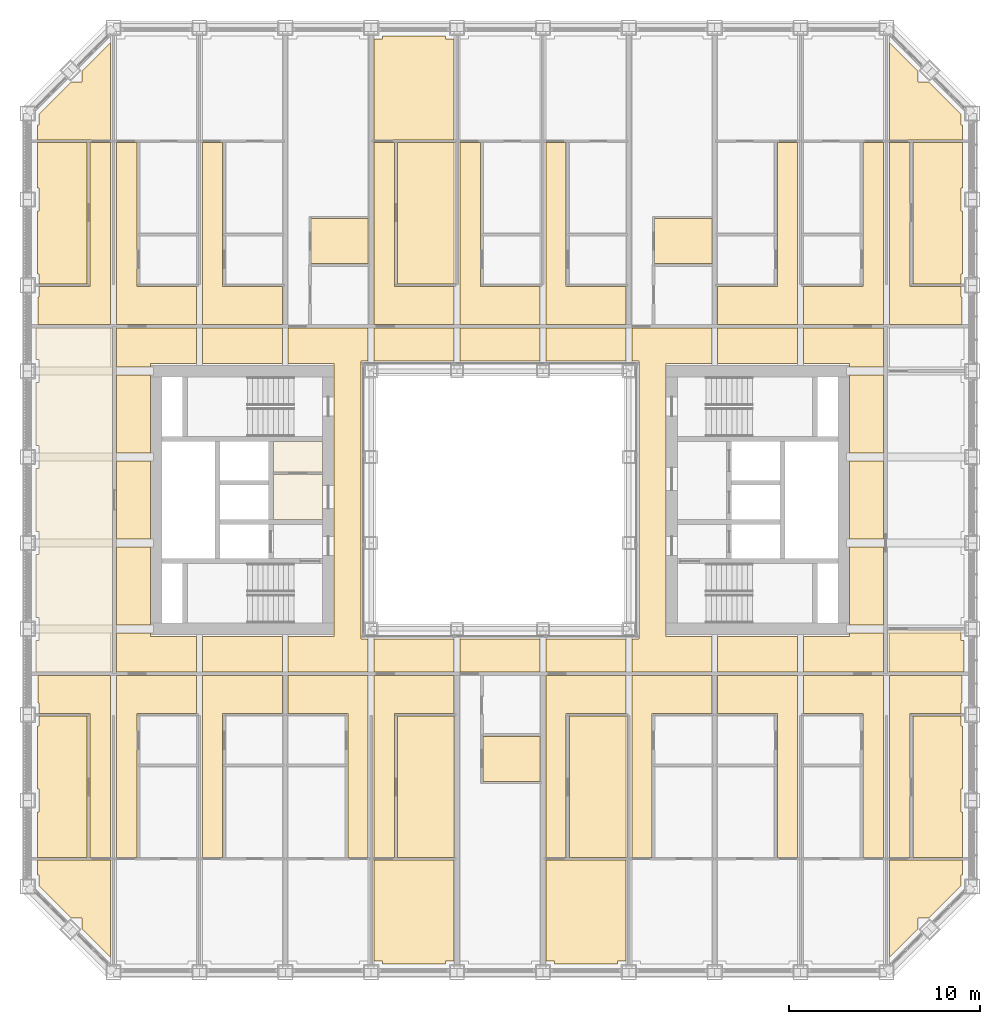
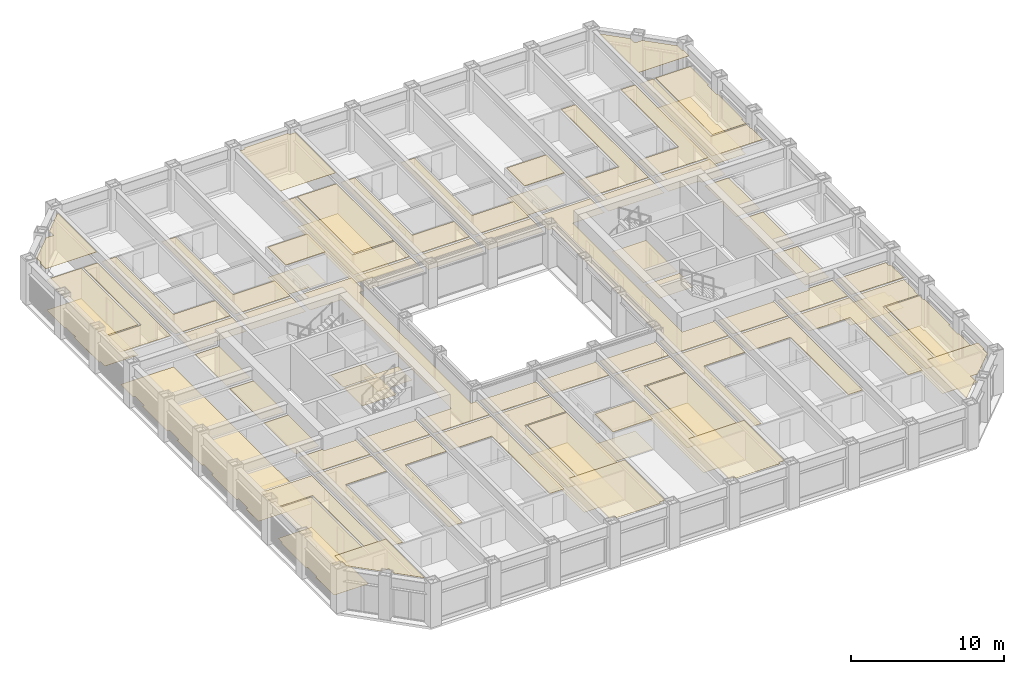
# One storey, part 18 of 20: 4 coverings.
"""IFC4 building model written with IfcOpenShell, lengths in metres."""

from ifc_helpers import new_model, si_unit, direction, frame, origin, place, context, subcontext, project, spatial, line, indexed_curve, outline, extrude, material, layer, layer_set, type_object, element, save


model = new_model("IFC4")

# Units and contexts
model_context = context("Model", 3, precision=1e-05, world=origin(), true_north=direction((0.0, 1.0)))
body_context = subcontext(model_context, "Body", "Model", "MODEL_VIEW")
ifc_project = project(units=[si_unit("LENGTHUNIT", "METRE"), si_unit("AREAUNIT", "SQUARE_METRE"), si_unit("VOLUMEUNIT", "CUBIC_METRE"), si_unit("PLANEANGLEUNIT", "RADIAN"), si_unit("MASSUNIT", "GRAM", prefix="KILO")], contexts=[model_context])

# Site, building, storey
site_placement = place(None, origin())
site = spatial("IfcSite", under=ifc_project, at=site_placement, CompositionType="ELEMENT")
building_placement = place(site_placement, origin())
building = spatial("IfcBuilding", under=site, at=building_placement, Name="Msasa Ring Tower", CompositionType="ELEMENT")
storey_placement = place(building_placement, frame((0.0, 0.0, 58.0)))
storey = spatial("IfcBuildingStorey", under=building, at=storey_placement, Name="L14", CompositionType="ELEMENT", Elevation=58.0)

# Coverings
ifc_material_1 = material(Name="Gypsum plasterboard on a steel suspension grid", Category="steel")
ifc_layer_1 = layer(ifc_material_1, 0.014892578125)
ifc_layer_set_1 = layer_set([ifc_layer_1], Name="C1 SUSPENDED PLASTERBOARD CEILING 15")
covering_type_1 = type_object("IfcCoveringType", Name="C1 SUSPENDED PLASTERBOARD CEILING 15", PredefinedType="CEILING", material=ifc_layer_set_1)
covering_1_placement = place(storey_placement, frame((0.0, 0.0, 2.39990234375)))
element("IfcCovering", 1, at=covering_1_placement, inside=storey, type_object=covering_type_1, Name="Suspended Plasterboard Ceiling 15 circulation L14", PredefinedType="CEILING", context=body_context, shape_type="SweptSolid", body=[
    extrude(outline(indexed_curve([(-21.469482421875, -18.744384765625), (-21.469482421875, -11.199462890625), (-24.1494140625, -11.199462890625), (-24.1494140625, -10.6494140625), (-24.199462890625, -10.6494140625), (-24.199462890625, -9.200439453125), (-20.404296875, -9.200439453125), (-20.404296875, -18.744384765625)], segments=[line(1, 2, 3, 4, 5, 6, 7, 8, 1)], self_intersect=False)), origin(), (0.0, 0.0, 1.0), 0.01513671875),
    extrude(outline(indexed_curve([(-24.199462890625, 9.200439453125), (-24.199462890625, 10.6494140625), (-24.1494140625, 10.6494140625), (-24.1494140625, 11.199462890625), (-21.469482421875, 11.199462890625), (-21.469482421875, 18.744384765625), (-20.404296875, 18.744384765625), (-20.404296875, 9.200439453125)], segments=[line(1, 2, 3, 4, 5, 6, 7, 8, 1)], self_intersect=False)), origin(), (0.0, 0.0, 1.0), 0.01513671875),
    extrude(outline(indexed_curve([(-20.099609375, -2.460693359375), (-18.300537109375, -2.460693359375), (-18.300537109375, -6.539306640625), (-20.099609375, -6.539306640625)], segments=[line(1, 2, 3, 4, 1)], self_intersect=False)), origin(), (0.0, 0.0, 1.0), 0.01513671875),
    extrude(outline(indexed_curve([(-20.099609375, 2.039306640625), (-18.300537109375, 2.039306640625), (-18.300537109375, -2.039306640625), (-20.099609375, -2.039306640625)], segments=[line(1, 2, 3, 4, 1)], self_intersect=False)), origin(), (0.0, 0.0, 1.0), 0.01513671875),
    extrude(outline(indexed_curve([(-20.099609375, 6.539306640625), (-18.300537109375, 6.539306640625), (-18.300537109375, 2.460693359375), (-20.099609375, 2.460693359375)], segments=[line(1, 2, 3, 4, 1)], self_intersect=False)), origin(), (0.0, 0.0, 1.0), 0.01513671875),
    extrude(outline(indexed_curve([(-19.030517578125, -11.199462890625), (-19.030517578125, -18.744384765625), (-20.095703125, -18.744384765625), (-20.095703125, -9.200439453125), (-15.904296875, -9.200439453125), (-15.904296875, -11.199462890625)], segments=[line(1, 2, 3, 4, 5, 6, 1)], self_intersect=False)), origin(), (0.0, 0.0, 1.0), 0.01513671875),
    extrude(outline(indexed_curve([(-20.095703125, -8.99951171875), (-20.095703125, -6.960693359375), (-18.300537109375, -6.960693359375), (-18.300537109375, -7.150390625), (-15.904296875, -7.150390625), (-15.904296875, -8.99951171875)], segments=[line(1, 2, 3, 4, 5, 6, 1)], self_intersect=False)), origin(), (0.0, 0.0, 1.0), 0.01513671875),
    extrude(outline(indexed_curve([(-15.904296875, 8.99951171875), (-15.904296875, 7.150390625), (-18.300537109375, 7.150390625), (-18.300537109375, 6.960693359375), (-20.095703125, 6.960693359375), (-20.095703125, 8.99951171875)], segments=[line(1, 2, 3, 4, 5, 6, 1)], self_intersect=False)), origin(), (0.0, 0.0, 1.0), 0.01513671875),
    extrude(outline(indexed_curve([(-19.030517578125, 18.744384765625), (-19.030517578125, 11.199462890625), (-15.904296875, 11.199462890625), (-15.904296875, 9.200439453125), (-20.095703125, 9.200439453125), (-20.095703125, 18.744384765625)], segments=[line(1, 2, 3, 4, 5, 6, 1)], self_intersect=False)), origin(), (0.0, 0.0, 1.0), 0.01513671875),
    extrude(outline(indexed_curve([(-11.404296875, -9.200439453125), (-11.404296875, -11.199462890625), (-14.530517578125, -11.199462890625), (-14.530517578125, -18.744384765625), (-15.595703125, -18.744384765625), (-15.595703125, -9.200439453125)], segments=[line(1, 2, 3, 4, 5, 6, 1)], self_intersect=False)), origin(), (0.0, 0.0, 1.0), 0.01513671875),
    extrude(outline(indexed_curve([(-15.595703125, -8.99951171875), (-15.595703125, -7.150390625), (-11.404296875, -7.150390625), (-11.404296875, -8.99951171875)], segments=[line(1, 2, 3, 4, 1)], self_intersect=False)), origin(), (0.0, 0.0, 1.0), 0.01513671875),
    extrude(outline(indexed_curve([(-11.404296875, 8.99951171875), (-11.404296875, 7.150390625), (-15.595703125, 7.150390625), (-15.595703125, 8.99951171875)], segments=[line(1, 2, 3, 4, 1)], self_intersect=False)), origin(), (0.0, 0.0, 1.0), 0.01513671875),
    extrude(outline(indexed_curve([(-14.530517578125, 18.744384765625), (-14.530517578125, 11.199462890625), (-11.404296875, 11.199462890625), (-11.404296875, 9.200439453125), (-15.595703125, 9.200439453125), (-15.595703125, 18.744384765625)], segments=[line(1, 2, 3, 4, 5, 6, 1)], self_intersect=False)), origin(), (0.0, 0.0, 1.0), 0.01513671875),
    extrude(outline(indexed_curve([(-11.87451171875, -3.074462890625), (-11.87451171875, -1.275390625), (-9.300537109375, -1.275390625), (-9.300537109375, -3.074462890625)], segments=[line(1, 2, 3, 4, 1)], self_intersect=False)), origin(), (0.0, 0.0, 1.0), 0.01513671875),
    extrude(outline(indexed_curve([(-7.969482421875, -18.744384765625), (-7.969482421875, -11.199462890625), (-11.095703125, -11.199462890625), (-11.095703125, -9.200439453125), (-6.904296875, -9.200439453125), (-6.904296875, -18.744384765625)], segments=[line(1, 2, 3, 4, 5, 6, 1)], self_intersect=False)), origin(), (0.0, 0.0, 1.0), 0.01513671875),
    extrude(outline(indexed_curve([(-6.904296875, 8.99951171875), (-6.904296875, 7.280029296875), (-7.275390625, 7.275390625), (-7.280517578125, 7.23046875), (-7.280517578125, -7.23046875), (-7.275390625, -7.275390625), (-6.904296875, -7.280029296875), (-6.904296875, -8.99951171875), (-11.095703125, -8.99951171875), (-11.095703125, -7.150390625), (-8.699462890625, -7.150390625), (-8.699462890625, 7.150390625), (-11.095703125, 7.150390625), (-11.095703125, 8.99951171875)], segments=[line(1, 2, 3, 4, 5, 6, 7, 8, 9, 10, 11, 12, 13, 14, 1)], self_intersect=False)), origin(), (0.0, 0.0, 1.0), 0.01513671875),
    extrude(outline(indexed_curve([(-6.595703125, -18.744384765625), (-6.595703125, -9.200439453125), (-2.404296875, -9.200439453125), (-2.404296875, -11.199462890625), (-5.530517578125, -11.199462890625), (-5.530517578125, -18.744384765625)], segments=[line(1, 2, 3, 4, 5, 6, 1)], self_intersect=False)), origin(), (0.0, 0.0, 1.0), 0.01513671875),
    extrude(outline(indexed_curve([(-6.595703125, -8.99951171875), (-6.595703125, -7.280029296875), (-2.404296875, -7.280029296875), (-2.404296875, -8.99951171875)], segments=[line(1, 2, 3, 4, 1)], self_intersect=False)), origin(), (0.0, 0.0, 1.0), 0.01513671875),
    extrude(outline(indexed_curve([(-2.404296875, 8.99951171875), (-2.404296875, 7.280029296875), (-6.595703125, 7.280029296875), (-6.595703125, 8.99951171875)], segments=[line(1, 2, 3, 4, 1)], self_intersect=False)), origin(), (0.0, 0.0, 1.0), 0.01513671875),
    extrude(outline(indexed_curve([(-5.530517578125, 11.199462890625), (-2.404296875, 11.199462890625), (-2.404296875, 9.200439453125), (-6.595703125, 9.200439453125), (-6.595703125, 18.744384765625), (-5.530517578125, 18.744384765625)], segments=[line(1, 2, 3, 4, 5, 6, 1)], self_intersect=False)), origin(), (0.0, 0.0, 1.0), 0.01513671875),
    extrude(outline(indexed_curve([(-2.095703125, -8.99951171875), (-2.095703125, -7.280029296875), (2.095703125, -7.280029296875), (2.095703125, -8.99951171875)], segments=[line(1, 2, 3, 4, 1)], self_intersect=False)), origin(), (0.0, 0.0, 1.0), 0.01513671875),
    extrude(outline(indexed_curve([(2.095703125, 8.99951171875), (2.095703125, 7.280029296875), (-2.095703125, 7.280029296875), (-2.095703125, 8.99951171875)], segments=[line(1, 2, 3, 4, 1)], self_intersect=False)), origin(), (0.0, 0.0, 1.0), 0.01513671875),
    extrude(outline(indexed_curve([(-1.030517578125, 18.744384765625), (-1.030517578125, 11.199462890625), (2.095703125, 11.199462890625), (2.095703125, 9.200439453125), (-2.095703125, 9.200439453125), (-2.095703125, 18.744384765625)], segments=[line(1, 2, 3, 4, 5, 6, 1)], self_intersect=False)), origin(), (0.0, 0.0, 1.0), 0.01513671875),
    extrude(outline(indexed_curve([(3.469482421875, -11.199462890625), (3.469482421875, -18.744384765625), (2.404296875, -18.744384765625), (2.404296875, -9.200439453125), (6.595703125, -9.200439453125), (6.595703125, -11.199462890625)], segments=[line(1, 2, 3, 4, 5, 6, 1)], self_intersect=False)), origin(), (0.0, 0.0, 1.0), 0.01513671875),
    extrude(outline(indexed_curve([(2.404296875, -8.99951171875), (2.404296875, -7.280029296875), (6.595703125, -7.280029296875), (6.595703125, -8.99951171875)], segments=[line(1, 2, 3, 4, 1)], self_intersect=False)), origin(), (0.0, 0.0, 1.0), 0.01513671875),
    extrude(outline(indexed_curve([(6.595703125, 8.99951171875), (6.595703125, 7.280029296875), (2.404296875, 7.280029296875), (2.404296875, 8.99951171875)], segments=[line(1, 2, 3, 4, 1)], self_intersect=False)), origin(), (0.0, 0.0, 1.0), 0.01513671875),
    extrude(outline(indexed_curve([(3.469482421875, 18.744384765625), (3.469482421875, 11.199462890625), (6.595703125, 11.199462890625), (6.595703125, 9.200439453125), (2.404296875, 9.200439453125), (2.404296875, 18.744384765625)], segments=[line(1, 2, 3, 4, 5, 6, 1)], self_intersect=False)), origin(), (0.0, 0.0, 1.0), 0.01513671875),
    extrude(outline(indexed_curve([(11.095703125, -9.200439453125), (11.095703125, -11.199462890625), (7.969482421875, -11.199462890625), (7.969482421875, -18.744384765625), (6.904296875, -18.744384765625), (6.904296875, -9.200439453125)], segments=[line(1, 2, 3, 4, 5, 6, 1)], self_intersect=False)), origin(), (0.0, 0.0, 1.0), 0.01513671875),
    extrude(outline(indexed_curve([(11.095703125, 8.99951171875), (11.095703125, 7.150390625), (8.699462890625, 7.150390625), (8.699462890625, -7.150390625), (11.095703125, -7.150390625), (11.095703125, -8.99951171875), (6.904296875, -8.99951171875), (6.904296875, -7.280029296875), (7.275390625, -7.275390625), (7.280517578125, -7.23046875), (7.280517578125, 7.23046875), (7.275390625, 7.275390625), (6.904296875, 7.280029296875), (6.904296875, 8.99951171875)], segments=[line(1, 2, 3, 4, 5, 6, 7, 8, 9, 10, 11, 12, 13, 14, 1)], self_intersect=False)), origin(), (0.0, 0.0, 1.0), 0.01513671875),
    extrude(outline(indexed_curve([(9.300537109375, -3.074462890625), (9.300537109375, -1.275390625), (11.87451171875, -1.275390625), (11.87451171875, -3.074462890625)], segments=[line(1, 2, 3, 4, 1)], self_intersect=False)), origin(), (0.0, 0.0, 1.0), 0.01513671875),
    extrude(outline(indexed_curve([(9.300537109375, 3.074462890625), (11.87451171875, 3.074462890625), (11.87451171875, -1.0244140625), (9.300537109375, -1.0244140625)], segments=[line(1, 2, 3, 4, 1)], self_intersect=False)), origin(), (0.0, 0.0, 1.0), 0.01513671875),
    extrude(outline(indexed_curve([(14.530517578125, -18.744384765625), (14.530517578125, -11.199462890625), (11.404296875, -11.199462890625), (11.404296875, -9.200439453125), (15.595703125, -9.200439453125), (15.595703125, -18.744384765625)], segments=[line(1, 2, 3, 4, 5, 6, 1)], self_intersect=False)), origin(), (0.0, 0.0, 1.0), 0.01513671875),
    extrude(outline(indexed_curve([(11.404296875, -8.99951171875), (11.404296875, -7.150390625), (15.595703125, -7.150390625), (15.595703125, -8.99951171875)], segments=[line(1, 2, 3, 4, 1)], self_intersect=False)), origin(), (0.0, 0.0, 1.0), 0.01513671875),
    extrude(outline(indexed_curve([(15.595703125, 8.99951171875), (15.595703125, 7.150390625), (11.404296875, 7.150390625), (11.404296875, 8.99951171875)], segments=[line(1, 2, 3, 4, 1)], self_intersect=False)), origin(), (0.0, 0.0, 1.0), 0.01513671875),
    extrude(outline(indexed_curve([(11.404296875, 9.200439453125), (11.404296875, 11.199462890625), (14.530517578125, 11.199462890625), (14.530517578125, 18.744384765625), (15.595703125, 18.744384765625), (15.595703125, 9.200439453125)], segments=[line(1, 2, 3, 4, 5, 6, 1)], self_intersect=False)), origin(), (0.0, 0.0, 1.0), 0.01513671875),
    extrude(outline(indexed_curve([(19.030517578125, -18.744384765625), (19.030517578125, -11.199462890625), (15.904296875, -11.199462890625), (15.904296875, -9.200439453125), (20.095703125, -9.200439453125), (20.095703125, -18.744384765625)], segments=[line(1, 2, 3, 4, 5, 6, 1)], self_intersect=False)), origin(), (0.0, 0.0, 1.0), 0.01513671875),
    extrude(outline(indexed_curve([(15.904296875, -8.99951171875), (15.904296875, -7.150390625), (18.300537109375, -7.150390625), (18.300537109375, -6.960693359375), (20.095703125, -6.960693359375), (20.095703125, -8.99951171875)], segments=[line(1, 2, 3, 4, 5, 6, 1)], self_intersect=False)), origin(), (0.0, 0.0, 1.0), 0.01513671875),
    extrude(outline(indexed_curve([(20.095703125, 8.99951171875), (20.095703125, 6.960693359375), (18.300537109375, 6.960693359375), (18.300537109375, 7.150390625), (15.904296875, 7.150390625), (15.904296875, 8.99951171875)], segments=[line(1, 2, 3, 4, 5, 6, 1)], self_intersect=False)), origin(), (0.0, 0.0, 1.0), 0.01513671875),
    extrude(outline(indexed_curve([(19.030517578125, 11.199462890625), (19.030517578125, 18.744384765625), (20.095703125, 18.744384765625), (20.095703125, 9.200439453125), (15.904296875, 9.200439453125), (15.904296875, 11.199462890625)], segments=[line(1, 2, 3, 4, 5, 6, 1)], self_intersect=False)), origin(), (0.0, 0.0, 1.0), 0.01513671875),
    extrude(outline(indexed_curve([(20.099609375, -6.539306640625), (18.300537109375, -6.539306640625), (18.300537109375, -2.460693359375), (20.099609375, -2.460693359375)], segments=[line(1, 2, 3, 4, 1)], self_intersect=False)), origin(), (0.0, 0.0, 1.0), 0.01513671875),
    extrude(outline(indexed_curve([(20.099609375, -2.039306640625), (18.300537109375, -2.039306640625), (18.300537109375, 2.039306640625), (20.099609375, 2.039306640625)], segments=[line(1, 2, 3, 4, 1)], self_intersect=False)), origin(), (0.0, 0.0, 1.0), 0.01513671875),
    extrude(outline(indexed_curve([(20.099609375, 2.460693359375), (18.300537109375, 2.460693359375), (18.300537109375, 6.539306640625), (20.099609375, 6.539306640625)], segments=[line(1, 2, 3, 4, 1)], self_intersect=False)), origin(), (0.0, 0.0, 1.0), 0.01513671875),
    extrude(outline(indexed_curve([(24.199462890625, -9.200439453125), (24.199462890625, -10.6494140625), (24.1494140625, -10.6494140625), (24.1494140625, -11.199462890625), (21.469482421875, -11.199462890625), (21.469482421875, -18.744384765625), (20.404296875, -18.744384765625), (20.404296875, -9.200439453125)], segments=[line(1, 2, 3, 4, 5, 6, 7, 8, 1)], self_intersect=False)), origin(), (0.0, 0.0, 1.0), 0.01513671875),
    extrude(outline(indexed_curve([(21.469482421875, 18.744384765625), (21.469482421875, 11.199462890625), (24.1494140625, 11.199462890625), (24.1494140625, 10.6494140625), (24.199462890625, 10.6494140625), (24.199462890625, 9.200439453125), (20.404296875, 9.200439453125), (20.404296875, 18.744384765625)], segments=[line(1, 2, 3, 4, 5, 6, 7, 8, 1)], self_intersect=False)), origin(), (0.0, 0.0, 1.0), 0.01513671875),
])
covering_2_placement = place(storey_placement, frame((0.0, 0.0, 3.199951171875)))
element("IfcCovering", 2, at=covering_2_placement, inside=storey, type_object=covering_type_1, Name="Suspended Plasterboard Ceiling 15 public rooms L14", PredefinedType="CEILING", context=body_context, shape_type="SweptSolid", body=[
    extrude(outline(indexed_curve([(-24.239501953125, -18.85546875), (-20.404296875, -18.85546875), (-20.404296875, -23.95849609375), (-21.8994140625, -22.46337890625), (-21.8994140625, -21.8994140625), (-22.46337890625, -21.8994140625), (-24.1494140625, -20.21337890625), (-24.1494140625, -19.6494140625), (-24.239501953125, -19.6494140625)], segments=[line(1, 2, 3, 4, 5, 6, 7, 8, 9, 1)], self_intersect=False)), origin(), (0.0, 0.0, 1.0), 0.01513671875),
    extrude(outline(indexed_curve([(-24.239501953125, 18.85546875), (-24.239501953125, 19.6494140625), (-24.1494140625, 19.6494140625), (-24.1494140625, 20.21337890625), (-22.46337890625, 21.8994140625), (-21.8994140625, 21.8994140625), (-21.8994140625, 22.46337890625), (-20.404296875, 23.95849609375), (-20.404296875, 18.85546875)], segments=[line(1, 2, 3, 4, 5, 6, 7, 8, 9, 1)], self_intersect=False)), origin(), (0.0, 0.0, 1.0), 0.01513671875),
    extrude(outline(indexed_curve([(-6.1494140625, -24.299560546875), (-6.1494140625, -24.1494140625), (-6.595703125, -24.1494140625), (-6.595703125, -18.85546875), (-2.404296875, -18.85546875), (-2.404296875, -24.1494140625), (-2.8505859375, -24.1494140625), (-2.8505859375, -24.299560546875)], segments=[line(1, 2, 3, 4, 5, 6, 7, 8, 1)], self_intersect=False)), origin(), (0.0, 0.0, 1.0), 0.01513671875),
    extrude(outline(indexed_curve([(-6.595703125, 18.85546875), (-6.595703125, 24.1494140625), (-6.1494140625, 24.1494140625), (-6.1494140625, 24.299560546875), (-2.8505859375, 24.299560546875), (-2.8505859375, 24.1494140625), (-2.404296875, 24.1494140625), (-2.404296875, 18.85546875)], segments=[line(1, 2, 3, 4, 5, 6, 7, 8, 1)], self_intersect=False)), origin(), (0.0, 0.0, 1.0), 0.01513671875),
    extrude(outline(indexed_curve([(6.595703125, -18.85546875), (6.595703125, -24.1494140625), (6.1494140625, -24.1494140625), (6.1494140625, -24.299560546875), (2.8505859375, -24.299560546875), (2.8505859375, -24.1494140625), (2.404296875, -24.1494140625), (2.404296875, -18.85546875)], segments=[line(1, 2, 3, 4, 5, 6, 7, 8, 1)], self_intersect=False)), origin(), (0.0, 0.0, 1.0), 0.01513671875),
    extrude(outline(indexed_curve([(24.239501953125, -18.85546875), (24.239501953125, -19.6494140625), (24.1494140625, -19.6494140625), (24.1494140625, -20.21337890625), (22.46337890625, -21.8994140625), (21.8994140625, -21.8994140625), (21.8994140625, -22.46337890625), (20.404296875, -23.95849609375), (20.404296875, -18.85546875)], segments=[line(1, 2, 3, 4, 5, 6, 7, 8, 9, 1)], self_intersect=False)), origin(), (0.0, 0.0, 1.0), 0.01513671875),
    extrude(outline(indexed_curve([(24.239501953125, 18.85546875), (20.404296875, 18.85546875), (20.404296875, 23.95849609375), (21.8994140625, 22.46337890625), (21.8994140625, 21.8994140625), (22.46337890625, 21.8994140625), (24.1494140625, 20.21337890625), (24.1494140625, 19.6494140625), (24.239501953125, 19.6494140625)], segments=[line(1, 2, 3, 4, 5, 6, 7, 8, 9, 1)], self_intersect=False)), origin(), (0.0, 0.0, 1.0), 0.01513671875),
])
ifc_material_2 = material(Name="Perforated aluminium ceiling pans on a steel grid", Category="steel")
ifc_layer_2 = layer(ifc_material_2, 0.02490234375)
ifc_layer_set_2 = layer_set([ifc_layer_2], Name="C4 PERFORATED METAL PAN CEILING 25")
covering_type_2 = type_object("IfcCoveringType", Name="C4 PERFORATED METAL PAN CEILING 25", PredefinedType="CEILING", material=ifc_layer_set_2)
covering_3_placement = place(storey_placement, frame((0.0, 0.0, 2.39990234375)))
element("IfcCovering", 3, at=covering_3_placement, inside=storey, type_object=covering_type_2, Name="Perforated Metal Pan Ceiling 25 L14", PredefinedType="CEILING", context=body_context, shape_type="SweptSolid", body=[
    extrude(outline(indexed_curve([(-24.239501953125, -18.744384765625), (-24.239501953125, -16.3505859375), (-24.1494140625, -16.3505859375), (-24.1494140625, -15.1494140625), (-24.239501953125, -15.1494140625), (-24.239501953125, -11.8505859375), (-24.1494140625, -11.8505859375), (-24.1494140625, -11.305419921875), (-21.630615234375, -11.305419921875), (-21.630615234375, -18.744384765625)], segments=[line(1, 2, 3, 4, 5, 6, 7, 8, 9, 10, 1)], self_intersect=False)), origin(), (0.0, 0.0, 1.0), 0.025146484375),
    extrude(outline(indexed_curve([(-24.239501953125, 15.1494140625), (-24.1494140625, 15.1494140625), (-24.1494140625, 16.3505859375), (-24.239501953125, 16.3505859375), (-24.239501953125, 18.744384765625), (-21.630615234375, 18.744384765625), (-21.630615234375, 11.305419921875), (-24.1494140625, 11.305419921875), (-24.1494140625, 11.8505859375), (-24.239501953125, 11.8505859375)], segments=[line(1, 2, 3, 4, 5, 6, 7, 8, 9, 10, 1)], self_intersect=False)), origin(), (0.0, 0.0, 1.0), 0.025146484375),
    extrude(outline(indexed_curve([(-9.8994140625, 14.744384765625), (-6.904296875, 14.744384765625), (-6.904296875, 12.380615234375), (-9.8994140625, 12.380615234375)], segments=[line(1, 2, 3, 4, 1)], self_intersect=False)), origin(), (0.0, 0.0, 1.0), 0.025146484375),
    extrude(outline(indexed_curve([(-5.369384765625, -18.744384765625), (-5.369384765625, -11.305419921875), (-2.404296875, -11.305419921875), (-2.404296875, -18.744384765625)], segments=[line(1, 2, 3, 4, 1)], self_intersect=False)), origin(), (0.0, 0.0, 1.0), 0.025146484375),
    extrude(outline(indexed_curve([(-5.369384765625, 11.305419921875), (-5.369384765625, 18.744384765625), (-2.404296875, 18.744384765625), (-2.404296875, 11.305419921875)], segments=[line(1, 2, 3, 4, 1)], self_intersect=False)), origin(), (0.0, 0.0, 1.0), 0.025146484375),
    extrude(outline(indexed_curve([(-0.8994140625, -14.744384765625), (-0.8994140625, -12.380615234375), (2.095703125, -12.380615234375), (2.095703125, -14.744384765625)], segments=[line(1, 2, 3, 4, 1)], self_intersect=False)), origin(), (0.0, 0.0, 1.0), 0.025146484375),
    extrude(outline(indexed_curve([(3.630615234375, -11.305419921875), (6.595703125, -11.305419921875), (6.595703125, -18.744384765625), (3.630615234375, -18.744384765625)], segments=[line(1, 2, 3, 4, 1)], self_intersect=False)), origin(), (0.0, 0.0, 1.0), 0.025146484375),
    extrude(outline(indexed_curve([(8.1005859375, 14.744384765625), (11.095703125, 14.744384765625), (11.095703125, 12.380615234375), (8.1005859375, 12.380615234375)], segments=[line(1, 2, 3, 4, 1)], self_intersect=False)), origin(), (0.0, 0.0, 1.0), 0.025146484375),
    extrude(outline(indexed_curve([(24.299560546875, -8.99951171875), (20.404296875, -8.99951171875), (20.404296875, -6.960693359375), (24.1494140625, -6.960693359375), (24.1494140625, -7.3505859375), (24.299560546875, -7.3505859375)], segments=[line(1, 2, 3, 4, 5, 6, 1)], self_intersect=False)), origin(), (0.0, 0.0, 1.0), 0.025146484375),
    extrude(outline(indexed_curve([(21.630615234375, -11.305419921875), (24.1494140625, -11.305419921875), (24.1494140625, -11.8505859375), (24.239501953125, -11.8505859375), (24.239501953125, -15.1494140625), (24.1494140625, -15.1494140625), (24.1494140625, -16.3505859375), (24.239501953125, -16.3505859375), (24.239501953125, -18.744384765625), (21.630615234375, -18.744384765625)], segments=[line(1, 2, 3, 4, 5, 6, 7, 8, 9, 10, 1)], self_intersect=False)), origin(), (0.0, 0.0, 1.0), 0.025146484375),
    extrude(outline(indexed_curve([(21.630615234375, 18.744384765625), (24.239501953125, 18.744384765625), (24.239501953125, 16.3505859375), (24.1494140625, 16.3505859375), (24.1494140625, 15.1494140625), (24.239501953125, 15.1494140625), (24.239501953125, 11.8505859375), (24.1494140625, 11.8505859375), (24.1494140625, 11.305419921875), (21.630615234375, 11.305419921875)], segments=[line(1, 2, 3, 4, 5, 6, 7, 8, 9, 10, 1)], self_intersect=False)), origin(), (0.0, 0.0, 1.0), 0.025146484375),
])
ifc_material_3 = material(Name="Welded vinyl safety sheet flooring", Category="vinyl")
ifc_layer_3 = layer(ifc_material_3, 0.0029296875)
ifc_layer_set_3 = layer_set([ifc_layer_3], Name="F5 RESILIENT SHEET FLOORING 3")
covering_type_3 = type_object("IfcCoveringType", Name="F5 RESILIENT SHEET FLOORING 3", PredefinedType="FLOORING", material=ifc_layer_set_3)
covering_4_placement = place(storey_placement, origin())
element("IfcCovering", 4, at=covering_4_placement, inside=storey, type_object=covering_type_3, Name="Resilient Sheet Flooring 3 L14", PredefinedType="FLOORING", context=body_context, shape_type="SweptSolid", body=[
    extrude(outline(indexed_curve([(-24.299560546875, -8.99951171875), (-24.299560546875, -7.3505859375), (-24.1494140625, -7.3505859375), (-24.1494140625, -6.1494140625), (-24.299560546875, -6.1494140625), (-24.299560546875, -2.8505859375), (-24.1494140625, -2.8505859375), (-24.1494140625, -1.6494140625), (-24.299560546875, -1.6494140625), (-24.299560546875, 1.6494140625), (-24.1494140625, 1.6494140625), (-24.1494140625, 2.8505859375), (-24.299560546875, 2.8505859375), (-24.299560546875, 6.1494140625), (-24.1494140625, 6.1494140625), (-24.1494140625, 7.3505859375), (-24.299560546875, 7.3505859375), (-24.299560546875, 8.99951171875), (-20.300537109375, 8.99951171875), (-20.300537109375, -8.99951171875)], segments=[line(1, 2, 3, 4, 5, 6, 7, 8, 9, 10, 11, 12, 13, 14, 15, 16, 17, 18, 19, 20, 1)], self_intersect=False)), origin(), (0.0, 0.0, 1.0), 0.0029296875),
    extrude(outline(indexed_curve([(-24.239501953125, -16.3505859375), (-24.1494140625, -16.3505859375), (-24.1494140625, -15.1494140625), (-24.239501953125, -15.1494140625), (-24.239501953125, -11.8505859375), (-24.1494140625, -11.8505859375), (-24.1494140625, -11.305419921875), (-21.630615234375, -11.305419921875), (-21.630615234375, -18.744384765625), (-24.239501953125, -18.744384765625)], segments=[line(1, 2, 3, 4, 5, 6, 7, 8, 9, 10, 1)], self_intersect=False)), origin(), (0.0, 0.0, 1.0), 0.0029296875),
    extrude(outline(indexed_curve([(-21.630615234375, 18.744384765625), (-21.630615234375, 11.305419921875), (-24.1494140625, 11.305419921875), (-24.1494140625, 11.8505859375), (-24.239501953125, 11.8505859375), (-24.239501953125, 15.1494140625), (-24.1494140625, 15.1494140625), (-24.1494140625, 16.3505859375), (-24.239501953125, 16.3505859375), (-24.239501953125, 18.744384765625)], segments=[line(1, 2, 3, 4, 5, 6, 7, 8, 9, 10, 1)], self_intersect=False)), origin(), (0.0, 0.0, 1.0), 0.0029296875),
    extrude(outline(indexed_curve([(-9.300537109375, 1.344482421875), (-9.300537109375, -1.0244140625), (-11.87451171875, -1.0244140625), (-11.87451171875, 1.344482421875)], segments=[line(1, 2, 3, 4, 1)], self_intersect=False)), origin(), (0.0, 0.0, 1.0), 0.0029296875),
    extrude(outline(indexed_curve([(-9.300537109375, 3.074462890625), (-9.300537109375, 1.45556640625), (-11.87451171875, 1.45556640625), (-11.87451171875, 3.074462890625)], segments=[line(1, 2, 3, 4, 1)], self_intersect=False)), origin(), (0.0, 0.0, 1.0), 0.0029296875),
    extrude(outline(indexed_curve([(-6.87548828125, 14.744384765625), (-6.87548828125, 12.380615234375), (-9.8994140625, 12.380615234375), (-9.8994140625, 14.744384765625)], segments=[line(1, 2, 3, 4, 1)], self_intersect=False)), origin(), (0.0, 0.0, 1.0), 0.0029296875),
    extrude(outline(indexed_curve([(-5.369384765625, -11.305419921875), (-2.37548828125, -11.305419921875), (-2.37548828125, -18.744384765625), (-5.369384765625, -18.744384765625)], segments=[line(1, 2, 3, 4, 1)], self_intersect=False)), origin(), (0.0, 0.0, 1.0), 0.0029296875),
    extrude(outline(indexed_curve([(-2.310546875, 18.744384765625), (-2.310546875, 11.305419921875), (-5.369384765625, 11.305419921875), (-5.369384765625, 18.744384765625)], segments=[line(1, 2, 3, 4, 1)], self_intersect=False)), origin(), (0.0, 0.0, 1.0), 0.0029296875),
    extrude(outline(indexed_curve([(2.12451171875, -12.380615234375), (2.12451171875, -14.744384765625), (-0.8994140625, -14.744384765625), (-0.8994140625, -12.380615234375)], segments=[line(1, 2, 3, 4, 1)], self_intersect=False)), origin(), (0.0, 0.0, 1.0), 0.0029296875),
    extrude(outline(indexed_curve([(6.689453125, -11.305419921875), (6.689453125, -18.744384765625), (3.630615234375, -18.744384765625), (3.630615234375, -11.305419921875)], segments=[line(1, 2, 3, 4, 1)], self_intersect=False)), origin(), (0.0, 0.0, 1.0), 0.0029296875),
    extrude(outline(indexed_curve([(11.12451171875, 14.744384765625), (11.12451171875, 12.380615234375), (8.1005859375, 12.380615234375), (8.1005859375, 14.744384765625)], segments=[line(1, 2, 3, 4, 1)], self_intersect=False)), origin(), (0.0, 0.0, 1.0), 0.0029296875),
    extrude(outline(indexed_curve([(20.300537109375, -6.805419921875), (24.1494140625, -6.805419921875), (24.1494140625, -7.3505859375), (24.299560546875, -7.3505859375), (24.299560546875, -8.99951171875), (20.300537109375, -8.99951171875)], segments=[line(1, 2, 3, 4, 5, 6, 1)], self_intersect=False)), origin(), (0.0, 0.0, 1.0), 0.0029296875),
    extrude(outline(indexed_curve([(24.1494140625, -11.305419921875), (24.1494140625, -11.8505859375), (24.239501953125, -11.8505859375), (24.239501953125, -15.1494140625), (24.1494140625, -15.1494140625), (24.1494140625, -16.3505859375), (24.239501953125, -16.3505859375), (24.239501953125, -18.744384765625), (21.630615234375, -18.744384765625), (21.630615234375, -11.305419921875)], segments=[line(1, 2, 3, 4, 5, 6, 7, 8, 9, 10, 1)], self_intersect=False)), origin(), (0.0, 0.0, 1.0), 0.0029296875),
    extrude(outline(indexed_curve([(24.239501953125, 18.744384765625), (24.239501953125, 16.3505859375), (24.1494140625, 16.3505859375), (24.1494140625, 15.1494140625), (24.239501953125, 15.1494140625), (24.239501953125, 11.8505859375), (24.1494140625, 11.8505859375), (24.1494140625, 11.305419921875), (21.630615234375, 11.305419921875), (21.630615234375, 18.744384765625)], segments=[line(1, 2, 3, 4, 5, 6, 7, 8, 9, 10, 1)], self_intersect=False)), origin(), (0.0, 0.0, 1.0), 0.0029296875),
])

save(model, "model.ifc")
